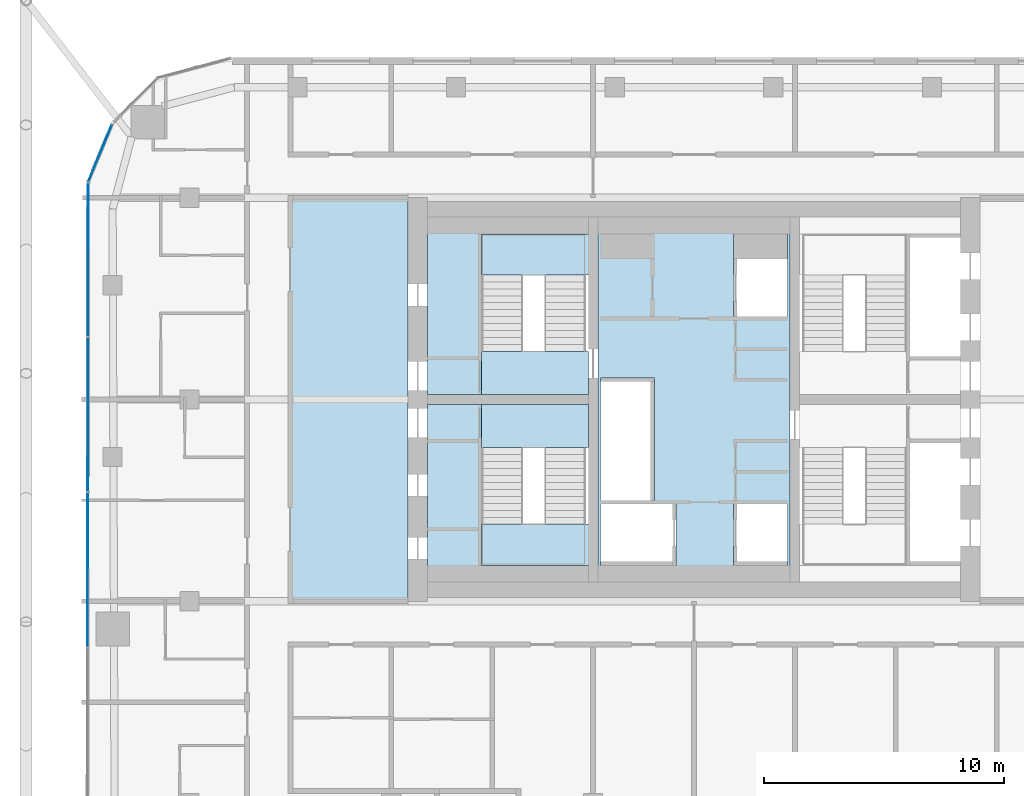
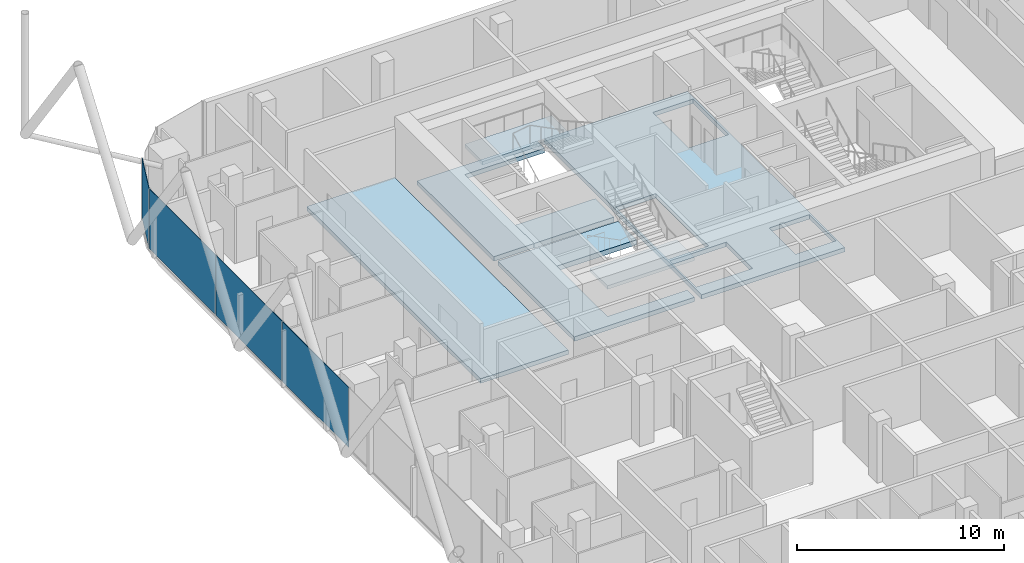
# One storey, part 17 of 28: 8 slabs, 4 plates, 4 elements without a shape of their own.
"""IFC4 building model written with IfcOpenShell, lengths in metres."""

from ifc_helpers import new_model, si_unit, direction, frame, origin, origin_2d, place, context, subcontext, project, spatial, polyline, rectangle, outline, extrude, material, layer, layer_set, type_object, element, aggregate, save


model = new_model("IFC4")

# Units and contexts
model_context = context("Model", 3, precision=1e-05, world=origin(), true_north=direction((0.0, 1.0)))
body_context = subcontext(model_context, "Body", "Model", "MODEL_VIEW")
ifc_project = project(units=[si_unit("LENGTHUNIT", "METRE"), si_unit("AREAUNIT", "SQUARE_METRE"), si_unit("VOLUMEUNIT", "CUBIC_METRE"), si_unit("PLANEANGLEUNIT", "RADIAN"), si_unit("MASSUNIT", "GRAM", prefix="KILO")], contexts=[model_context])

# Site, building, storey
site_placement = place(None, origin())
site = spatial("IfcSite", under=ifc_project, at=site_placement, CompositionType="ELEMENT")
building_placement = place(site_placement, origin())
building = spatial("IfcBuilding", under=site, at=building_placement, Name="Marenta Gate Hotel Tower", CompositionType="ELEMENT")
storey_placement = place(building_placement, frame((0.0, 0.0, 212.89990234375)))
storey = spatial("IfcBuildingStorey", under=building, at=storey_placement, Name="L49", CompositionType="ELEMENT", Elevation=212.89990234375)

# Slabs
ifc_material_1 = material(Name="Concrete C40", Category="concrete")
ifc_layer_1 = layer(ifc_material_1, 0.260009765625)
ifc_layer_set_1 = layer_set([ifc_layer_1], Name="Concrete C40")
slab_type_1 = type_object("IfcSlabType", Name="Core floor slab 260", PredefinedType="FLOOR", material=ifc_layer_set_1)
slab_1_placement = place(storey_placement, frame((0.0, 0.0, -0.260009765625)))
element("IfcSlab", 1, at=slab_1_placement, inside=storey, type_object=slab_type_1, Name="L49-CF-4", PredefinedType="FLOOR", context=body_context, shape_type="SweptSolid", body=[
    extrude(outline(polyline([(4.0, 15.300048828125), (4.0, 10.39990234375), (4.0, 6.39990234375), (4.0, 1.5), (4.0, 0.800048828125), (-4.0, 0.800048828125), (-4.0, 1.5), (-4.0, 6.39990234375), (-4.0, 10.39990234375), (-4.0, 15.300048828125), (-4.0, 16.0), (4.0, 16.0), (4.0, 15.300048828125)]), holes=[polyline([(1.64990234375, 14.25), (1.64990234375, 11.85009765625), (1.800048828125, 11.85009765625), (3.89990234375, 11.85009765625), (3.89990234375, 14.25), (3.89990234375, 15.300048828125), (1.64990234375, 15.300048828125), (1.64990234375, 14.25)]), polyline([(3.89990234375, 1.64990234375), (3.89990234375, 4.050048828125), (1.800048828125, 4.050048828125), (1.64990234375, 4.050048828125), (1.64990234375, 1.64990234375), (1.64990234375, 1.5), (3.89990234375, 1.5), (3.89990234375, 1.64990234375)]), polyline([(-3.89990234375, 1.64990234375), (-3.89990234375, 1.5), (-0.89990234375, 1.5), (-0.75, 1.5), (-0.75, 4.050048828125), (-0.89990234375, 4.050048828125), (-3.89990234375, 4.050048828125), (-3.89990234375, 1.64990234375)]), polyline([(-1.800048828125, 4.199951171875), (-1.64990234375, 4.199951171875), (-1.64990234375, 9.14990234375), (-1.64990234375, 9.300048828125), (-3.89990234375, 9.300048828125), (-3.89990234375, 9.14990234375), (-3.89990234375, 6.75), (-3.89990234375, 6.60009765625), (-3.89990234375, 4.199951171875), (-1.800048828125, 4.199951171875)])]), origin(), (0.0, 0.0, 1.0), 0.260009765625),
])
slab_2_placement = place(storey_placement, frame((0.0, 0.0, -0.260009765625)))
element("IfcSlab", 2, at=slab_2_placement, inside=storey, type_object=slab_type_1, Name="L49-CF-5", PredefinedType="FLOOR", context=body_context, shape_type="SweptSolid", body=[
    extrude(outline(polyline([(-8.85009765625, 8.199951171875), (-8.85009765625, 8.10009765625), (-8.85009765625, 6.39990234375), (-8.85009765625, 1.5), (-4.39990234375, 1.5), (-4.39990234375, 0.800048828125), (-11.10009765625, 0.800048828125), (-11.10009765625, 8.199951171875), (-8.85009765625, 8.199951171875)])), origin(), (0.0, 0.0, 1.0), 0.260009765625),
])
slab_3_placement = place(storey_placement, frame((0.0, 0.0, -0.260009765625)))
element("IfcSlab", 3, at=slab_3_placement, inside=storey, type_object=slab_type_1, Name="L49-CF-6", PredefinedType="FLOOR", context=body_context, shape_type="SweptSolid", body=[
    extrude(outline(polyline([(-4.39990234375, 15.300048828125), (-8.85009765625, 15.300048828125), (-8.85009765625, 10.39990234375), (-8.85009765625, 8.699951171875), (-8.85009765625, 8.60009765625), (-11.10009765625, 8.60009765625), (-11.10009765625, 16.0), (-4.39990234375, 16.0), (-4.39990234375, 15.300048828125)])), origin(), (0.0, 0.0, 1.0), 0.260009765625),
])
slab_4_placement = place(storey_placement, frame((0.0, 0.0, -0.260009765625)))
element("IfcSlab", 4, at=slab_4_placement, inside=storey, type_object=slab_type_1, Name="L49-CF-7", PredefinedType="FLOOR", context=body_context, shape_type="SweptSolid", body=[
    extrude(outline(polyline([(-11.89990234375, 16.800048828125), (-11.89990234375, 0.0), (-16.800048828125, 0.0), (-16.800048828125, 16.800048828125), (-11.89990234375, 16.800048828125)])), origin(), (0.0, 0.0, 1.0), 0.260009765625),
])

# Stair, slab
ifc_material_2 = material(Name="Concrete C40", Category="concrete")
stair_type = type_object("IfcStairType", Name="Core exit stair 1700 wide", PredefinedType="HALF_TURN_STAIR", material=ifc_material_2)
stair_1_placement = place(storey_placement, origin())
stair_1 = element("IfcStair", 5, at=stair_1_placement, inside=storey, type_object=stair_type, Name="Exit stair 1", PredefinedType="HALF_TURN_STAIR")
ifc_material_3 = material(Name="Concrete C40", Category="concrete")
ifc_layer_2 = layer(ifc_material_3, 0.199951171875)
ifc_layer_set_2 = layer_set([ifc_layer_2], Name="Concrete C40")
slab_type_2 = type_object("IfcSlabType", Name="Core stair landing 200", PredefinedType="LANDING", material=ifc_layer_set_2)
slab_5_placement = place(storey_placement, frame((0.0, 0.0, 1.60009765625)))
slab_5 = element("IfcSlab", 6, at=slab_5_placement, type_object=slab_type_2, Name="SL-200 ST1 landing 1", PredefinedType="LANDING", context=body_context, shape_type="SweptSolid", body=[
    extrude(outline(polyline([(-8.85009765625, 1.5), (-4.0, 1.5), (-4.0, 3.2099609375), (-8.85009765625, 3.2099609375), (-8.85009765625, 1.5)])), origin(), (0.0, 0.0, 1.0), 0.199951171875),
])
aggregate(stair_1, [slab_5])

stair_2_placement = place(storey_placement, origin())
stair_2 = element("IfcStair", 7, at=stair_2_placement, inside=storey, type_object=stair_type, Name="Exit stair 2", PredefinedType="HALF_TURN_STAIR")
slab_6_placement = place(storey_placement, frame((0.0, 0.0, 1.60009765625)))
slab_6 = element("IfcSlab", 8, at=slab_6_placement, type_object=slab_type_2, Name="SL-200 ST2 landing 1", PredefinedType="LANDING", context=body_context, shape_type="SweptSolid", body=[
    extrude(outline(polyline([(-8.85009765625, 13.590087890625), (-4.0, 13.590087890625), (-4.0, 15.300048828125), (-8.85009765625, 15.300048828125), (-8.85009765625, 13.590087890625)])), origin(), (0.0, 0.0, 1.0), 0.199951171875),
])
aggregate(stair_2, [slab_6])

# Curtain wall, plate
ifc_material_4 = material(Name="Tinted insulated glass in bronze anodised frame", Category="glass")
ifc_layer_3 = layer(ifc_material_4, 0.1201171875)
ifc_layer_set_3 = layer_set([ifc_layer_3], Name="Tinted insulated glass in bronze anodised frame")
curtain_wall_type = type_object("IfcCurtainWallType", Name="Tower unitised curtain wall CW1", PredefinedType="NOTDEFINED", material=ifc_layer_set_3)
curtain_wall_1_placement = place(storey_placement, origin())
curtain_wall_1 = element("IfcCurtainWall", 9, at=curtain_wall_1_placement, inside=storey, type_object=curtain_wall_type, Name="CW1 run G03", PredefinedType="NOTDEFINED")
ifc_material_5 = material(Name="Tinted insulated glass", Category="glass")
ifc_layer_4 = layer(ifc_material_5, 0.028076171875)
ifc_layer_set_4 = layer_set([ifc_layer_4], Name="Tinted insulated glass")
plate_type = type_object("IfcPlateType", Name="Glass panel CW1 28 mm tinted insulated unit", PredefinedType="CURTAIN_PANEL", material=ifc_layer_set_4)
plate_1_placement = place(storey_placement, frame((-24.719482421875, 18.656005859375, 0.06005859375), z_axis=(0.0, 0.0, 1.0), x_axis=(-0.382666772044, -0.923886433266, 0.0)))
plate_1 = element("IfcPlate", 10, at=plate_1_placement, type_object=plate_type, Name="CW1 panel 1.1", PredefinedType="CURTAIN_PANEL", context=body_context, shape_type="SweptSolid", body=[
    extrude(rectangle(XDim=2.57568359375, YDim=0.028076171875, at=origin_2d()), origin(), (0.0, 0.0, 1.0), 3.5400390625),
])
aggregate(curtain_wall_1, [plate_1])

# Curtain wall, plates
curtain_wall_2_placement = place(storey_placement, origin())
curtain_wall_2 = element("IfcCurtainWall", 11, at=curtain_wall_2_placement, inside=storey, type_object=curtain_wall_type, Name="CW1 run G04", PredefinedType="NOTDEFINED")
plate_2_placement = place(storey_placement, frame((-25.21728515625, 14.22119140625, 0.06005859375), z_axis=(0.0, 0.0, 1.0), x_axis=(-0.001566045546, -0.99999877375, 0.0)))
plate_2 = element("IfcPlate", 12, at=plate_2_placement, type_object=plate_type, Name="CW1 panel 1.1", PredefinedType="CURTAIN_PANEL", context=body_context, shape_type="SweptSolid", body=[
    extrude(rectangle(XDim=6.3701171875, YDim=0.028076171875, at=origin_2d()), origin(), (0.0, 0.0, 1.0), 3.5400390625),
])
plate_3_placement = place(storey_placement, frame((-25.2275390625, 7.776123046875, 0.06005859375), z_axis=(0.0, 0.0, 1.0), x_axis=(-0.001566045546, -0.99999877375, 0.0)))
plate_3 = element("IfcPlate", 13, at=plate_3_placement, type_object=plate_type, Name="CW1 panel 2.1", PredefinedType="CURTAIN_PANEL", context=body_context, shape_type="SweptSolid", body=[
    extrude(rectangle(XDim=6.39990234375, YDim=0.028076171875, at=origin_2d()), origin(), (0.0, 0.0, 1.0), 3.5400390625),
])
plate_4_placement = place(storey_placement, frame((-25.237548828125, 1.316162109375, 0.06005859375), z_axis=(0.0, 0.0, 1.0), x_axis=(-0.001566045546, -0.99999877375, 0.0)))
plate_4 = element("IfcPlate", 14, at=plate_4_placement, type_object=plate_type, Name="CW1 panel 3.1", PredefinedType="CURTAIN_PANEL", context=body_context, shape_type="SweptSolid", body=[
    extrude(rectangle(XDim=6.39990234375, YDim=0.028076171875, at=origin_2d()), origin(), (0.0, 0.0, 1.0), 3.5400390625),
])
aggregate(curtain_wall_2, [plate_2, plate_3, plate_4])

# Slabs
ifc_material_6 = material(Name="Concrete C40", Category="concrete")
ifc_layer_5 = layer(ifc_material_6, 0.300048828125)
ifc_layer_set_5 = layer_set([ifc_layer_5], Name="Concrete C40")
slab_type_3 = type_object("IfcSlabType", Name="Stair floor landing slab 300", PredefinedType="FLOOR", material=ifc_layer_set_5)
slab_7_placement = place(storey_placement, frame((0.0, 0.0, -0.2998046875)))
element("IfcSlab", 15, at=slab_7_placement, inside=storey, type_object=slab_type_3, Name="L49-CL-ST1-1", PredefinedType="FLOOR", context=body_context, shape_type="SweptSolid", body=[
    extrude(outline(polyline([(-4.39990234375, 6.39990234375), (-8.85009765625, 6.39990234375), (-8.85009765625, 8.10009765625), (-8.85009765625, 8.199951171875), (-4.39990234375, 8.199951171875), (-4.39990234375, 6.39990234375)])), origin(), (0.0, 0.0, 1.0), 0.2998046875),
])
slab_8_placement = place(storey_placement, frame((0.0, 0.0, -0.2998046875)))
element("IfcSlab", 16, at=slab_8_placement, inside=storey, type_object=slab_type_3, Name="L49-CL-ST2-1", PredefinedType="FLOOR", context=body_context, shape_type="SweptSolid", body=[
    extrude(outline(polyline([(-4.39990234375, 8.60009765625), (-8.85009765625, 8.60009765625), (-8.85009765625, 8.699951171875), (-8.85009765625, 10.39990234375), (-4.39990234375, 10.39990234375), (-4.39990234375, 8.60009765625)])), origin(), (0.0, 0.0, 1.0), 0.2998046875),
])

save(model, "model.ifc")
